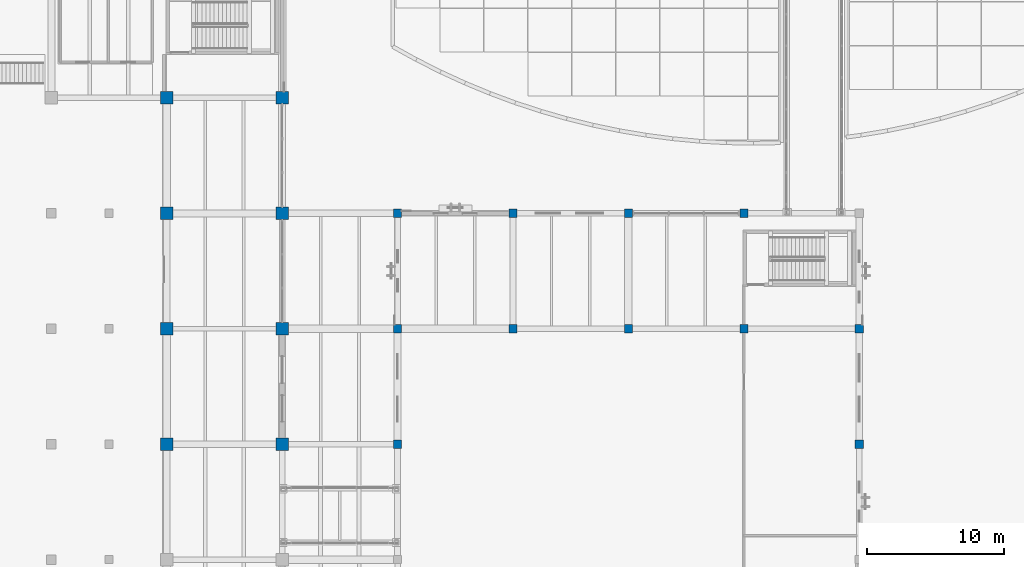
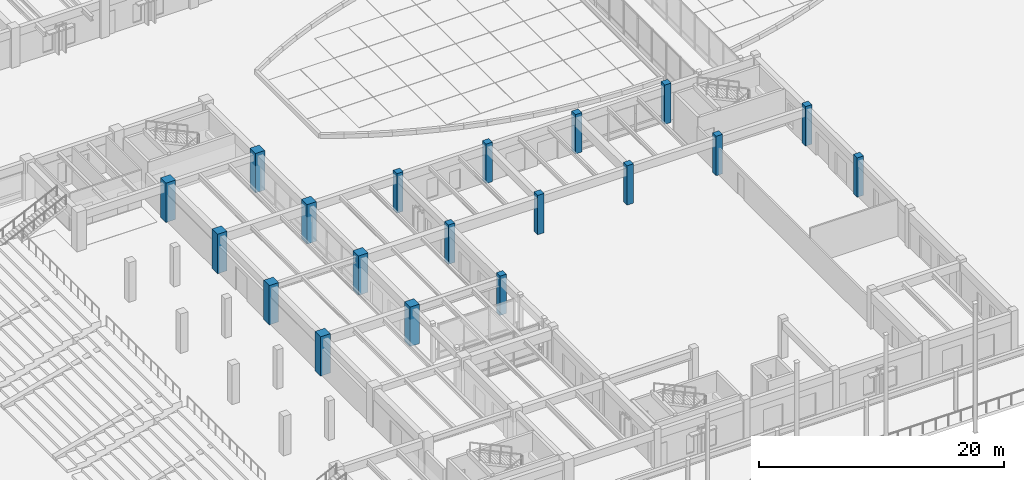
# One storey, part 7 of 135: 19 columns.
"""IFC4 building model written with IfcOpenShell, lengths in metres."""

from ifc_helpers import new_model, si_unit, direction, frame, origin, origin_2d, place, context, subcontext, project, spatial, rectangle, extrude, material, material_profile, profile_set, type_object, element, save


model = new_model("IFC4")

# Units and contexts
model_context = context("Model", 3, precision=1e-05, world=origin(), true_north=direction((0.0, 1.0)))
body_context = subcontext(model_context, "Body", "Model", "MODEL_VIEW")
ifc_project = project(units=[si_unit("LENGTHUNIT", "METRE"), si_unit("AREAUNIT", "SQUARE_METRE"), si_unit("VOLUMEUNIT", "CUBIC_METRE"), si_unit("PLANEANGLEUNIT", "RADIAN"), si_unit("MASSUNIT", "GRAM", prefix="KILO")], contexts=[model_context])

# Site, building, storey
site_placement = place(None, origin())
site = spatial("IfcSite", under=ifc_project, at=site_placement, CompositionType="ELEMENT")
building_placement = place(site_placement, origin())
building = spatial("IfcBuilding", under=site, at=building_placement, Name="Cumbredor Promenade Congress Hotel", CompositionType="ELEMENT")
storey_placement = place(building_placement, origin())
storey = spatial("IfcBuildingStorey", under=building, at=storey_placement, Name="L00", CompositionType="ELEMENT", Elevation=0.0)

# Columns
ifc_material_1 = material(Name="Concrete C40/50", Category="concrete")
ifc_material_profile_1 = material_profile(ifc_material_1, rectangle(XDim=0.60009765625, YDim=0.60009765625, at=origin_2d()), Name="RC 600x600")
ifc_profile_set_1 = profile_set([ifc_material_profile_1], Name="Concrete C40/50")
column_type_1 = type_object("IfcColumnType", Name="COL-RC-600", PredefinedType="COLUMN", material=ifc_profile_set_1)
for number, where, z_axis, x_axis, name in (
    (1, (75.60009765625, 33.60009765625, 0.0), (0.0, 0.0, 1.0), (1.0, 0.0, 0.0), "L00 Structural Column 094"),
    (2, (75.60009765625, 42.0, 0.0), (0.0, 0.0, 1.0), (1.0, 0.0, 0.0), "L00 Structural Column 095"),
    (3, (75.60009765625, 50.39990234375, 0.0), (0.0, 0.0, 1.0), (1.0, 0.0, 0.0), "L00 Structural Column 096"),
    (4, (84.0, 42.0, 0.0), (0.0, 0.0, 1.0), (1.0, 0.0, 0.0), "L00 Structural Column 104"),
    (5, (84.0, 50.39990234375, 0.0), (0.0, 0.0, 1.0), (1.0, 0.0, 0.0), "L00 Structural Column 105"),
    (6, (92.39990234375, 42.0, 0.0), (0.0, 0.0, 1.0), (1.0, 0.0, 0.0), "L00 Structural Column 113"),
    (7, (92.39990234375, 50.39990234375, 0.0), (0.0, 0.0, 1.0), (1.0, 0.0, 0.0), "L00 Structural Column 114"),
    (8, (100.800048828125, 42.0, 0.0), (0.0, 0.0, 1.0), (1.0, 0.0, 0.0), "L00 Structural Column 122"),
    (9, (100.800048828125, 50.39990234375, 0.0), (0.0, 0.0, 1.0), (1.0, 0.0, 0.0), "L00 Structural Column 123"),
    (10, (109.199951171875, 33.60009765625, 0.0), (0.0, 0.0, 1.0), (1.0, 0.0, 0.0), "L00 Structural Column 132"),
    (11, (109.199951171875, 42.0, 0.0), (0.0, 0.0, 1.0), (1.0, 0.0, 0.0), "L00 Structural Column 133"),
):
    element("IfcColumn", number, at=place(storey_placement, frame(where, z_axis=z_axis, x_axis=x_axis)), inside=storey, type_object=column_type_1, Name=name, PredefinedType="COLUMN", context=body_context, shape_type="SweptSolid", body=[
        extrude(rectangle(XDim=0.60009765625, YDim=0.60009765625, at=origin_2d()), origin(), (0.0, 0.0, 1.0), 3.919921875),
    ])
ifc_material_2 = material(Name="Concrete C50/60", Category="concrete")
ifc_material_profile_2 = material_profile(ifc_material_2, rectangle(XDim=0.89990234375, YDim=0.89990234375, at=origin_2d()), Name="RC 900x900")
ifc_profile_set_2 = profile_set([ifc_material_profile_2], Name="Concrete C50/60")
column_type_2 = type_object("IfcColumnType", Name="COL-RC-900", PredefinedType="COLUMN", material=ifc_profile_set_2)
for number, where, z_axis, x_axis, name in (
    (12, (58.800048828125, 33.60009765625, 0.0), (0.0, 0.0, 1.0), (1.0, 0.0, 0.0), "L00 Structural Column 068"),
    (13, (58.800048828125, 42.0, 0.0), (0.0, 0.0, 1.0), (1.0, 0.0, 0.0), "L00 Structural Column 069"),
    (14, (58.800048828125, 50.39990234375, 0.0), (0.0, 0.0, 1.0), (1.0, 0.0, 0.0), "L00 Structural Column 070"),
    (15, (58.800048828125, 58.800048828125, 0.0), (0.0, 0.0, 1.0), (1.0, 0.0, 0.0), "L00 Structural Column 071"),
    (16, (67.199951171875, 33.60009765625, 0.0), (0.0, 0.0, 1.0), (1.0, 0.0, 0.0), "L00 Structural Column 081"),
    (17, (67.199951171875, 42.0, 0.0), (0.0, 0.0, 1.0), (1.0, 0.0, 0.0), "L00 Structural Column 082"),
    (18, (67.199951171875, 50.39990234375, 0.0), (0.0, 0.0, 1.0), (1.0, 0.0, 0.0), "L00 Structural Column 083"),
    (19, (67.199951171875, 58.800048828125, 0.0), (0.0, 0.0, 1.0), (1.0, 0.0, 0.0), "L00 Structural Column 084"),
):
    element("IfcColumn", number, at=place(storey_placement, frame(where, z_axis=z_axis, x_axis=x_axis)), inside=storey, type_object=column_type_2, Name=name, PredefinedType="COLUMN", context=body_context, shape_type="SweptSolid", body=[
        extrude(rectangle(XDim=0.89990234375, YDim=0.89990234375, at=origin_2d()), origin(), (0.0, 0.0, 1.0), 3.919921875),
    ])

save(model, "model.ifc")
